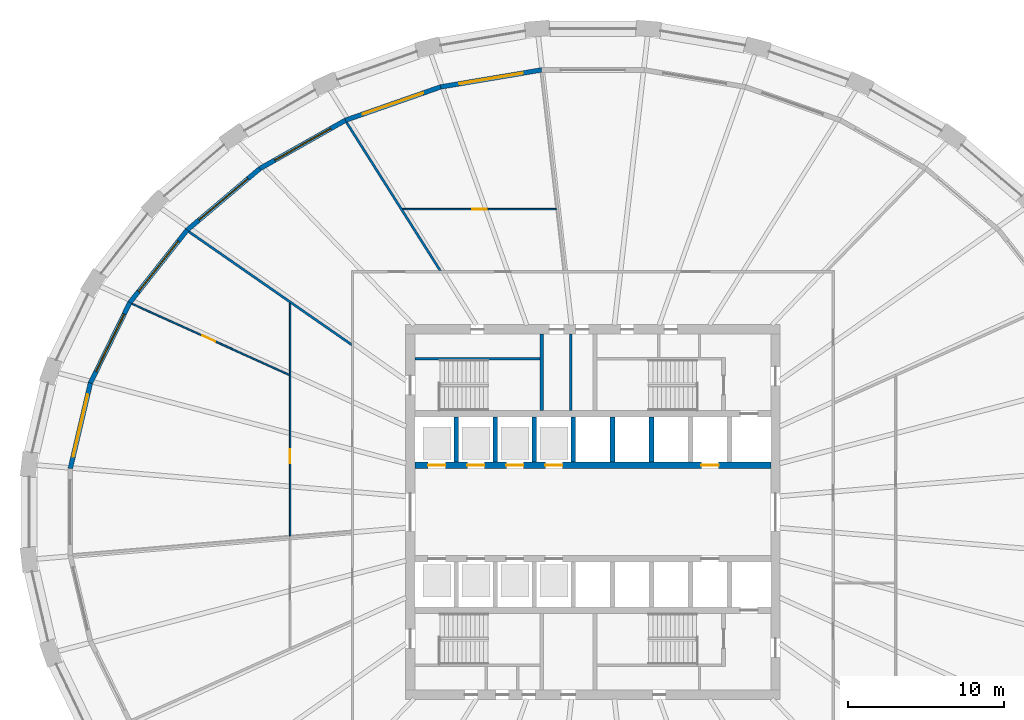
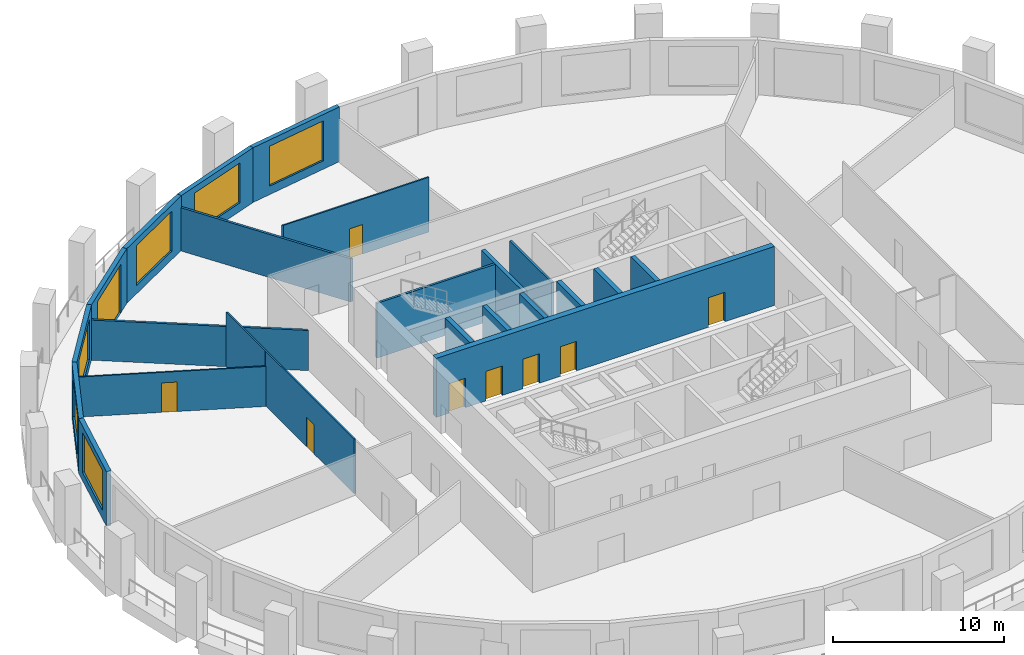
# One storey, part 5 of 10: 22 walls, 9 doors, 6 windows, 15 openings.
"""IFC4 building model written with IfcOpenShell, lengths in metres."""

from ifc_helpers import new_model, si_unit, direction, frame, frame_2d, origin, place, context, subcontext, project, spatial, polyline, rectangle, outline, extrude, material, layer, layer_set, type_object, element, fill, save


model = new_model("IFC4")

# Units and contexts
model_context = context("Model", 3, precision=1e-05, world=origin(), true_north=direction((0.0, 1.0)))
body_context = subcontext(model_context, "Body", "Model", "MODEL_VIEW")
ifc_project = project(units=[si_unit("LENGTHUNIT", "METRE"), si_unit("AREAUNIT", "SQUARE_METRE"), si_unit("VOLUMEUNIT", "CUBIC_METRE"), si_unit("PLANEANGLEUNIT", "RADIAN"), si_unit("MASSUNIT", "GRAM", prefix="KILO")], contexts=[model_context])

# Site, building, storey
site_placement = place(None, origin())
site = spatial("IfcSite", under=ifc_project, at=site_placement, CompositionType="ELEMENT")
building_placement = place(site_placement, origin())
building = spatial("IfcBuilding", under=site, at=building_placement, Name="Halqa Exchange Tower", CompositionType="ELEMENT")
storey_placement = place(building_placement, frame((0.0, 0.0, 90.699951171875)))
storey = spatial("IfcBuildingStorey", under=building, at=storey_placement, Name="L20", CompositionType="ELEMENT", Elevation=90.699951171875)

# Walls
ifc_material_1 = material(Name="Fire-rated gypsum board")
ifc_layer_1 = layer(ifc_material_1, 0.14990234375)
ifc_layer_set_1 = layer_set([ifc_layer_1], Name="Fire-rated gypsum board")
wall_type_1 = type_object("IfcWallType", Name="Fire partition EI 60 150", PredefinedType="PARTITIONING", material=ifc_layer_set_1)
wall_1_placement = place(storey_placement, frame((-25.888427734375, 17.96240234375, 0.0), z_axis=(0.0, 0.0, 1.0), x_axis=(0.821411896375, -0.570335424547, 0.0)))
element("IfcWall", 1, at=wall_1_placement, inside=storey, type_object=wall_type_1, Name="L20-PWL-003", PredefinedType="PARTITIONING", context=body_context, shape_type="SweptSolid", body=[
    extrude(outline(polyline([(0.0, -0.074951171875), (1.60107421875, -0.074951171875), (3.2021484375, -0.074951171875), (4.80322265625, -0.074951171875), (6.404541015625, -0.074951171875), (8.005615234375, -0.074951171875), (8.010009765625, -0.072021484375), (8.011962890625, -0.074951171875), (9.58447265625, -0.074951171875), (11.15673828125, -0.074951171875), (12.729248046875, -0.074951171875), (12.729248046875, -0.074462890625), (12.6787109375, -0.001708984375), (12.6787109375, -0.001708984375), (12.62548828125, 0.074951171875), (10.825439453125, 0.074951171875), (9.025390625, 0.074951171875), (7.225341796875, 0.074951171875), (5.42529296875, 0.074951171875), (3.625244140625, 0.074951171875), (1.8251953125, 0.074951171875), (0.025146484375, 0.074951171875), (0.00390625, -0.004150390625), (0.0, -0.066650390625), (0.0, -0.074951171875)])), origin(), (0.0, 0.0, 1.0), 2.860107421875),
])
wall_2_placement = place(storey_placement, frame((-15.789306640625, 24.9658203125, 0.0), z_axis=(0.0, 0.0, 1.0), x_axis=(0.53447919721, -0.845181630036, 0.0)))
element("IfcWall", 2, at=wall_2_placement, inside=storey, type_object=wall_type_1, Name="L20-PWL-008", PredefinedType="PARTITIONING", context=body_context, shape_type="SweptSolid", body=[
    extrude(outline(polyline([(0.0, -0.074951171875), (1.86376953125, -0.074951171875), (3.727294921875, -0.074951171875), (5.591064453125, -0.074951171875), (7.45458984375, -0.074951171875), (9.318359375, -0.074951171875), (11.181884765625, -0.074951171875), (11.276611328125, 0.07470703125), (11.276611328125, 0.074951171875), (9.748291015625, 0.074951171875), (8.22021484375, 0.074951171875), (6.69189453125, 0.074951171875), (6.690185546875, 0.072265625), (6.685791015625, 0.074951171875), (5.01953125, 0.074951171875), (3.353271484375, 0.074951171875), (1.687255859375, 0.074951171875), (0.02099609375, 0.074951171875), (0.003662109375, 0.000732421875), (0.0, -0.0732421875), (0.0, -0.074951171875)])), origin(), (0.0, 0.0, 1.0), 3.080078125),
])

# Wall, opening, door
ifc_material_2 = material(Name="Gypsum board")
ifc_layer_2 = layer(ifc_material_2, 0.10009765625)
ifc_layer_set_2 = layer_set([ifc_layer_2], Name="Gypsum board")
wall_type_2 = type_object("IfcWallType", Name="Partition 100 gypsum", PredefinedType="PARTITIONING", material=ifc_layer_set_2)
wall_3_placement = place(storey_placement, frame((-19.39990234375, -1.5419921875, 0.0), z_axis=(0.0, 0.0, 1.0), x_axis=(0.0, 1.0, 0.0)))
wall_3 = element("IfcWall", 3, at=wall_3_placement, inside=storey, type_object=wall_type_2, Name="L20-PWL-006", PredefinedType="PARTITIONING", context=body_context, shape_type="SweptSolid", body=[
    extrude(outline(polyline([(0.0078125, -0.050048828125), (1.865966796875, -0.050048828125), (3.72412109375, -0.050048828125), (5.582275390625, -0.050048828125), (7.440673828125, -0.050048828125), (9.298828125, -0.050048828125), (11.156982421875, -0.050048828125), (13.01513671875, -0.050048828125), (14.873291015625, -0.050048828125), (14.927001953125, 0.027587890625), (14.927001953125, 0.02734375), (14.9423828125, 0.049560546875), (14.9423828125, 0.050048828125), (13.42138671875, 0.050048828125), (11.900390625, 0.050048828125), (10.37939453125, 0.050048828125), (10.37841796875, 0.0478515625), (10.37353515625, 0.050048828125), (8.64453125, 0.050048828125), (6.915771484375, 0.050048828125), (5.186767578125, 0.050048828125), (3.457763671875, 0.050048828125), (1.72900390625, 0.050048828125), (0.0, 0.050048828125), (0.0, 0.044677734375), (0.0078125, -0.050048828125)])), origin(), (0.0, 0.0, 1.0), 3.900146484375),
])
opening_1_placement = place(wall_3_placement, frame((4.6669921875, 0.0, 0.0)))
opening_1 = element("IfcOpeningElement", 4, at=opening_1_placement, cuts=wall_3, Name="Opening 06-14", PredefinedType="OPENING", context=body_context, shape_type="SweptSolid", body=[
    extrude(rectangle(XDim=0.89990234375, YDim=2.10009765625, at=frame_2d((0.449951171875, 1.050048828125))), frame((0.0, 0.06201171875, 0.0), z_axis=(0.0, -1.0, 0.0), x_axis=(1.0, 0.0, 0.0)), (0.0, 0.0, 1.0), 0.1240234375),
])
ifc_material_3 = material(Name="Timber door leaf", Category="wood")
door_type_1 = type_object("IfcDoorType", Name="Door 900 x 2100", OperationType="SINGLE_SWING_LEFT", PredefinedType="DOOR", material=ifc_material_3)
door_1_placement = place(opening_1_placement, frame((0.89990234375, 0.0, 0.0), z_axis=(0.0, 0.0, 1.0), x_axis=(-1.0, 0.0, 0.0)))
door_1 = element("IfcDoor", 5, at=door_1_placement, inside=storey, type_object=door_type_1, Name="L20-IDR-014", OperationType="SINGLE_SWING_LEFT", OverallHeight=2.10009765625, OverallWidth=0.89990234375, PredefinedType="DOOR", context=body_context, shape_type="SweptSolid", body=[
    extrude(rectangle(XDim=0.89990234375, YDim=2.10009765625, at=frame_2d((0.449951171875, 1.050048828125))), frame((0.0, 0.02490234375, 0.0), z_axis=(0.0, -1.0, 0.0), x_axis=(1.0, 0.0, 0.0)), (0.0, 0.0, 1.0), 0.050048828125),
])
fill(opening_1, door_1)

wall_4_placement = place(storey_placement, frame((-19.4296875, 8.7734375, 0.0), z_axis=(0.0, 0.0, 1.0), x_axis=(-0.911086470292, 0.412215287987, 0.0)))
wall_4 = element("IfcWall", 6, at=wall_4_placement, inside=storey, type_object=wall_type_2, Name="L20-PWL-007", PredefinedType="PARTITIONING", context=body_context, shape_type="SweptSolid", body=[
    extrude(outline(polyline([(0.044921875, -0.050048828125), (1.8837890625, -0.050048828125), (3.722412109375, -0.050048828125), (5.561279296875, -0.050048828125), (7.39990234375, -0.050048828125), (9.23876953125, -0.050048828125), (11.077392578125, -0.050048828125), (11.090576171875, 0.00244140625), (11.092041015625, 0.050048828125), (9.243408203125, 0.050048828125), (7.394775390625, 0.050048828125), (5.5458984375, 0.050048828125), (3.697265625, 0.050048828125), (1.8486328125, 0.050048828125), (0.0, 0.050048828125), (0.0, 0.04931640625), (0.044921875, -0.050048828125)])), origin(), (0.0, 0.0, 1.0), 2.85009765625),
])
opening_2_placement = place(wall_4_placement, frame((5.23046875, 0.0, 0.0)))
opening_2 = element("IfcOpeningElement", 7, at=opening_2_placement, cuts=wall_4, Name="Opening 06-15", PredefinedType="OPENING", context=body_context, shape_type="SweptSolid", body=[
    extrude(rectangle(XDim=0.89990234375, YDim=2.10009765625, at=frame_2d((0.449951171875, 1.050048828125))), frame((0.0, 0.06201171875, 0.0), z_axis=(0.0, -1.0, 0.0), x_axis=(1.0, 0.0, 0.0)), (0.0, 0.0, 1.0), 0.1240234375),
])
door_2_placement = place(opening_2_placement, frame((0.89990234375, 0.0, 0.0), z_axis=(0.0, 0.0, 1.0), x_axis=(-1.0, 0.0, 0.0)))
door_2 = element("IfcDoor", 8, at=door_2_placement, inside=storey, type_object=door_type_1, Name="L20-IDR-015", OperationType="SINGLE_SWING_LEFT", OverallHeight=2.10009765625, OverallWidth=0.89990234375, PredefinedType="DOOR", context=body_context, shape_type="SweptSolid", body=[
    extrude(rectangle(XDim=0.89990234375, YDim=2.10009765625, at=frame_2d((0.449951171875, 1.050048828125))), frame((0.0, 0.02490234375, 0.0), z_axis=(0.0, -1.0, 0.0), x_axis=(1.0, 0.0, 0.0)), (0.0, 0.0, 1.0), 0.050048828125),
])
fill(opening_2, door_2)

wall_5_placement = place(storey_placement, frame((-12.2119140625, 19.39990234375, 0.0), z_axis=(0.0, 0.0, 1.0), x_axis=(1.0, 0.0, 0.0)))
wall_5 = element("IfcWall", 9, at=wall_5_placement, inside=storey, type_object=wall_type_2, Name="L20-PWL-012", PredefinedType="PARTITIONING", context=body_context, shape_type="SweptSolid", body=[
    extrude(outline(polyline([(9.8818359375, -0.050048828125), (9.8818359375, -0.046630859375), (9.87060546875, 0.050048828125), (7.896484375, 0.050048828125), (5.92236328125, 0.050048828125), (3.9482421875, 0.050048828125), (1.97412109375, 0.050048828125), (0.0, 0.050048828125), (0.0, 0.04931640625), (0.062744140625, -0.050048828125), (2.026611328125, -0.050048828125), (3.990478515625, -0.050048828125), (5.9541015625, -0.050048828125), (7.91796875, -0.050048828125), (9.8818359375, -0.050048828125)])), origin(), (0.0, 0.0, 1.0), 3.900146484375),
])
opening_3_placement = place(wall_5_placement, frame((4.4970703125, 0.0, 0.0)))
opening_3 = element("IfcOpeningElement", 10, at=opening_3_placement, cuts=wall_5, Name="Opening 06-13", PredefinedType="OPENING", context=body_context, shape_type="SweptSolid", body=[
    extrude(rectangle(XDim=0.89990234375, YDim=2.10009765625, at=frame_2d((0.449951171875, 1.050048828125))), frame((0.0, 0.06201171875, 0.0), z_axis=(0.0, -1.0, 0.0), x_axis=(1.0, 0.0, 0.0)), (0.0, 0.0, 1.0), 0.1240234375),
])
door_3_placement = place(opening_3_placement, frame((0.89990234375, 0.0, 0.0), z_axis=(0.0, 0.0, 1.0), x_axis=(-1.0, 0.0, 0.0)))
door_3 = element("IfcDoor", 11, at=door_3_placement, inside=storey, type_object=door_type_1, Name="L20-IDR-013", OperationType="SINGLE_SWING_RIGHT", OverallHeight=2.10009765625, OverallWidth=0.89990234375, PredefinedType="DOOR", context=body_context, shape_type="SweptSolid", body=[
    extrude(rectangle(XDim=0.89990234375, YDim=2.10009765625, at=frame_2d((0.449951171875, 1.050048828125))), frame((0.0, 0.02490234375, 0.0), z_axis=(0.0, -1.0, 0.0), x_axis=(1.0, 0.0, 0.0)), (0.0, 0.0, 1.0), 0.050048828125),
])
fill(opening_3, door_3)

# Walls
ifc_layer_3 = layer(ifc_material_2, 0.14990234375)
ifc_layer_set_3 = layer_set([ifc_layer_3], Name="Gypsum board")
wall_type_3 = type_object("IfcWallType", Name="Penthouse riser wall 150 gypsum", PredefinedType="PARTITIONING", material=ifc_layer_set_3)
wall_6_placement = place(storey_placement, frame((-1.425048828125, 6.5, 0.0), z_axis=(0.0, 0.0, 1.0), x_axis=(0.0, 1.0, 0.0)))
element("IfcWall", 12, at=wall_6_placement, inside=storey, type_object=wall_type_3, Name="Partition W1.425 N", PredefinedType="PARTITIONING", context=body_context, shape_type="SweptSolid", body=[
    extrude(rectangle(XDim=4.89990234375, YDim=0.14990234375, at=frame_2d((2.449951171875, 0.0))), origin(), (0.0, 0.0, 1.0), 3.900146484375),
])
ifc_material_4 = material(Name="Concrete C60/75", Category="concrete")
ifc_layer_4 = layer(ifc_material_4, 0.300048828125)
ifc_layer_set_4 = layer_set([ifc_layer_4], Name="Concrete C60/75")
wall_type_4 = type_object("IfcWallType", Name="RC core wall 300", PredefinedType="SHEAR", material=ifc_layer_set_4)
for number, where, z_axis, x_axis, name in (
    (13, (-8.75, 3.199951171875, 0.0), (0.0, 0.0, 1.0), (0.0, 1.0, 0.0), "Shaft divider N1"),
    (14, (-6.25, 3.199951171875, 0.0), (0.0, 0.0, 1.0), (0.0, 1.0, 0.0), "Shaft divider N2"),
    (15, (-3.75, 3.199951171875, 0.0), (0.0, 0.0, 1.0), (0.0, 1.0, 0.0), "Shaft divider N3"),
    (16, (-1.25, 3.199951171875, 0.0), (0.0, 0.0, 1.0), (0.0, 1.0, 0.0), "Shaft divider N4"),
    (17, (1.25, 3.199951171875, 0.0), (0.0, 0.0, 1.0), (0.0, 1.0, 0.0), "Shaft divider N5"),
    (18, (3.75, 3.199951171875, 0.0), (0.0, 0.0, 1.0), (0.0, 1.0, 0.0), "Shaft divider N6"),
):
    element("IfcWall", number, at=place(storey_placement, frame(where, z_axis=z_axis, x_axis=x_axis)), inside=storey, type_object=wall_type_4, Name=name, PredefinedType="SHEAR", context=body_context, shape_type="SweptSolid", body=[
        extrude(rectangle(XDim=2.900146484375, YDim=0.300048828125, at=frame_2d((1.4501953125, 0.0))), origin(), (0.0, 0.0, 1.0), 4.199951171875),
    ])

# Wall, openings, doors
ifc_material_5 = material(Name="Concrete C80/95", Category="concrete")
ifc_layer_5 = layer(ifc_material_5, 0.39990234375)
ifc_layer_set_5 = layer_set([ifc_layer_5], Name="Concrete C80/95")
wall_type_5 = type_object("IfcWallType", Name="RC core wall 400 C80/95", PredefinedType="SHEAR", material=ifc_layer_set_5)
wall_7_placement = place(storey_placement, frame((-11.39990234375, 3.0, 0.0), z_axis=(0.0, 0.0, 1.0), x_axis=(1.0, 0.0, 0.0)))
wall_7 = element("IfcWall", 19, at=wall_7_placement, inside=storey, type_object=wall_type_5, Name="Lift row front wall N", PredefinedType="SHEAR", context=body_context, shape_type="SweptSolid", body=[
    extrude(rectangle(XDim=22.7998046875, YDim=0.39990234375, at=frame_2d((11.39990234375, 0.0))), origin(), (0.0, 0.0, 1.0), 4.199951171875),
])
opening_4_placement = place(wall_7_placement, frame((0.85009765625, 0.0, 0.0)))
opening_4 = element("IfcOpeningElement", 20, at=opening_4_placement, cuts=wall_7, Name="Opening LD-LR1-T06", PredefinedType="OPENING", context=body_context, shape_type="SweptSolid", body=[
    extrude(rectangle(XDim=1.10009765625, YDim=2.10009765625, at=frame_2d((0.550048828125, 1.050048828125))), frame((0.0, 0.2119140625, 0.0), z_axis=(0.0, -1.0, 0.0), x_axis=(1.0, 0.0, 0.0)), (0.0, 0.0, 1.0), 0.423828125),
])
opening_5_placement = place(wall_7_placement, frame((3.35009765625, 0.0, 0.0)))
opening_5 = element("IfcOpeningElement", 21, at=opening_5_placement, cuts=wall_7, Name="Opening LD-LR2-T06", PredefinedType="OPENING", context=body_context, shape_type="SweptSolid", body=[
    extrude(rectangle(XDim=1.10009765625, YDim=2.10009765625, at=frame_2d((0.550048828125, 1.050048828125))), frame((0.0, 0.2119140625, 0.0), z_axis=(0.0, -1.0, 0.0), x_axis=(1.0, 0.0, 0.0)), (0.0, 0.0, 1.0), 0.423828125),
])
opening_6_placement = place(wall_7_placement, frame((5.85009765625, 0.0, 0.0)))
opening_6 = element("IfcOpeningElement", 22, at=opening_6_placement, cuts=wall_7, Name="Opening LD-LR3-T06", PredefinedType="OPENING", context=body_context, shape_type="SweptSolid", body=[
    extrude(rectangle(XDim=1.10009765625, YDim=2.10009765625, at=frame_2d((0.550048828125, 1.050048828125))), frame((0.0, 0.2119140625, 0.0), z_axis=(0.0, -1.0, 0.0), x_axis=(1.0, 0.0, 0.0)), (0.0, 0.0, 1.0), 0.423828125),
])
opening_7_placement = place(wall_7_placement, frame((8.35009765625, 0.0, 0.0)))
opening_7 = element("IfcOpeningElement", 23, at=opening_7_placement, cuts=wall_7, Name="Opening LD-LR4-T06", PredefinedType="OPENING", context=body_context, shape_type="SweptSolid", body=[
    extrude(rectangle(XDim=1.10009765625, YDim=2.10009765625, at=frame_2d((0.550048828125, 1.050048828125))), frame((0.0, 0.2119140625, 0.0), z_axis=(0.0, -1.0, 0.0), x_axis=(1.0, 0.0, 0.0)), (0.0, 0.0, 1.0), 0.423828125),
])
opening_8_placement = place(wall_7_placement, frame((18.35009765625, 0.0, 0.0)))
opening_8 = element("IfcOpeningElement", 24, at=opening_8_placement, cuts=wall_7, Name="Opening LD-SV1-T06", PredefinedType="OPENING", context=body_context, shape_type="SweptSolid", body=[
    extrude(rectangle(XDim=1.10009765625, YDim=2.10009765625, at=frame_2d((0.550048828125, 1.050048828125))), frame((0.0, 0.2119140625, 0.0), z_axis=(0.0, -1.0, 0.0), x_axis=(1.0, 0.0, 0.0)), (0.0, 0.0, 1.0), 0.423828125),
])
ifc_material_6 = material(Name="Stainless steel", Category="steel")
door_type_2 = type_object("IfcDoorType", Name="Lift landing door 1100 x 2100", OperationType="SLIDING_TO_LEFT", PredefinedType="DOOR", material=ifc_material_6)
door_4_placement = place(opening_4_placement, origin())
door_4 = element("IfcDoor", 25, at=door_4_placement, inside=storey, type_object=door_type_2, Name="Lift landing door LR1", OperationType="SLIDING_TO_LEFT", OverallHeight=2.10009765625, OverallWidth=1.10009765625, PredefinedType="DOOR", context=body_context, shape_type="SweptSolid", body=[
    extrude(rectangle(XDim=1.10009765625, YDim=2.10009765625, at=frame_2d((0.550048828125, 1.050048828125))), frame((0.0, 0.02490234375, 0.0), z_axis=(0.0, -1.0, 0.0), x_axis=(1.0, 0.0, 0.0)), (0.0, 0.0, 1.0), 0.050048828125),
])
fill(opening_4, door_4)
door_5_placement = place(opening_5_placement, origin())
door_5 = element("IfcDoor", 26, at=door_5_placement, inside=storey, type_object=door_type_2, Name="Lift landing door LR2", OperationType="SLIDING_TO_LEFT", OverallHeight=2.10009765625, OverallWidth=1.10009765625, PredefinedType="DOOR", context=body_context, shape_type="SweptSolid", body=[
    extrude(rectangle(XDim=1.10009765625, YDim=2.10009765625, at=frame_2d((0.550048828125, 1.050048828125))), frame((0.0, 0.02490234375, 0.0), z_axis=(0.0, -1.0, 0.0), x_axis=(1.0, 0.0, 0.0)), (0.0, 0.0, 1.0), 0.050048828125),
])
fill(opening_5, door_5)
door_6_placement = place(opening_6_placement, origin())
door_6 = element("IfcDoor", 27, at=door_6_placement, inside=storey, type_object=door_type_2, Name="Lift landing door LR3", OperationType="SLIDING_TO_LEFT", OverallHeight=2.10009765625, OverallWidth=1.10009765625, PredefinedType="DOOR", context=body_context, shape_type="SweptSolid", body=[
    extrude(rectangle(XDim=1.10009765625, YDim=2.10009765625, at=frame_2d((0.550048828125, 1.050048828125))), frame((0.0, 0.02490234375, 0.0), z_axis=(0.0, -1.0, 0.0), x_axis=(1.0, 0.0, 0.0)), (0.0, 0.0, 1.0), 0.050048828125),
])
fill(opening_6, door_6)
door_7_placement = place(opening_7_placement, origin())
door_7 = element("IfcDoor", 28, at=door_7_placement, inside=storey, type_object=door_type_2, Name="Lift landing door LR4", OperationType="SLIDING_TO_LEFT", OverallHeight=2.10009765625, OverallWidth=1.10009765625, PredefinedType="DOOR", context=body_context, shape_type="SweptSolid", body=[
    extrude(rectangle(XDim=1.10009765625, YDim=2.10009765625, at=frame_2d((0.550048828125, 1.050048828125))), frame((0.0, 0.02490234375, 0.0), z_axis=(0.0, -1.0, 0.0), x_axis=(1.0, 0.0, 0.0)), (0.0, 0.0, 1.0), 0.050048828125),
])
fill(opening_7, door_7)
door_8_placement = place(opening_8_placement, origin())
door_8 = element("IfcDoor", 29, at=door_8_placement, inside=storey, type_object=door_type_2, Name="Lift landing door SV1", OperationType="SLIDING_TO_LEFT", OverallHeight=2.10009765625, OverallWidth=1.10009765625, PredefinedType="DOOR", context=body_context, shape_type="SweptSolid", body=[
    extrude(rectangle(XDim=1.10009765625, YDim=2.10009765625, at=frame_2d((0.550048828125, 1.050048828125))), frame((0.0, 0.02490234375, 0.0), z_axis=(0.0, -1.0, 0.0), x_axis=(1.0, 0.0, 0.0)), (0.0, 0.0, 1.0), 0.050048828125),
])
fill(opening_8, door_8)

# Walls
ifc_material_7 = material(Name="Concrete C30/37", Category="concrete")
ifc_layer_6 = layer(ifc_material_7, 0.14990234375)
ifc_layer_set_6 = layer_set([ifc_layer_6], Name="Concrete C30/37")
wall_type_6 = type_object("IfcWallType", Name="RC stair wall 150 C30/37", PredefinedType="SHEAR", material=ifc_layer_set_6)
wall_8_placement = place(storey_placement, frame((-11.39990234375, 9.824951171875, 0.0), z_axis=(0.0, 0.0, 1.0), x_axis=(1.0, 0.0, 0.0)))
element("IfcWall", 30, at=wall_8_placement, inside=storey, type_object=wall_type_6, Name="Stair ST1 north wall N", PredefinedType="SHEAR", context=body_context, shape_type="SweptSolid", body=[
    extrude(rectangle(XDim=8.0, YDim=0.14990234375, at=frame_2d((4.0, 0.0))), origin(), (0.0, 0.0, 1.0), 3.900146484375),
])
ifc_layer_7 = layer(ifc_material_7, 0.25)
ifc_layer_set_7 = layer_set([ifc_layer_7], Name="Concrete C30/37")
wall_type_7 = type_object("IfcWallType", Name="RC stair wall 250 C30/37", PredefinedType="SHEAR", material=ifc_layer_set_7)
wall_9_placement = place(storey_placement, frame((-3.27490234375, 6.5, 0.0), z_axis=(0.0, 0.0, 1.0), x_axis=(0.0, 1.0, 0.0)))
element("IfcWall", 31, at=wall_9_placement, inside=storey, type_object=wall_type_7, Name="Stair ST1 east wall N", PredefinedType="SHEAR", context=body_context, shape_type="SweptSolid", body=[
    extrude(rectangle(XDim=4.89990234375, YDim=0.25, at=frame_2d((2.449951171875, 0.0))), origin(), (0.0, 0.0, 1.0), 3.900146484375),
])

# Wall, opening, window
ifc_material_8 = material(Name="Limestone cladding", Category="masonry")
ifc_layer_8 = layer(ifc_material_8, 0.0400390625)
ifc_material_9 = material(Name="Ventilated cavity")
ifc_layer_9 = layer(ifc_material_9, 0.030029296875, ventilated=True)
ifc_material_10 = material(Name="Mineral wool insulation")
ifc_layer_10 = layer(ifc_material_10, 0.10009765625)
ifc_layer_11 = layer(ifc_material_7, 0.10009765625)
ifc_material_11 = material(Name="Internal plaster")
ifc_layer_12 = layer(ifc_material_11, 0.030029296875)
ifc_layer_set_8 = layer_set([ifc_layer_8, ifc_layer_9, ifc_layer_10, ifc_layer_11, ifc_layer_12], Name="Stone-faced insulated wall 300")
wall_type_8 = type_object("IfcWallType", Name="Stone-faced insulated wall 300", PredefinedType="STANDARD", material=ifc_layer_set_8)
wall_10_placement = place(storey_placement, frame((-3.294921875, 28.319091796875, 0.0), z_axis=(0.0, 0.0, 1.0), x_axis=(-0.986162431544, -0.165781961053, 0.0)))
wall_10 = element("IfcWall", 32, at=wall_10_placement, inside=storey, type_object=wall_type_8, Name="Glass-line wall 9", PredefinedType="STANDARD", context=body_context, shape_type="SweptSolid", body=[
    extrude(outline(polyline([(-0.012451171875, -0.14990234375), (6.567626953125, -0.14990234375), (6.542236328125, 0.14990234375), (0.012451171875, 0.14990234375), (-0.012451171875, -0.14990234375)])), origin(), (0.0, 0.0, 1.0), 3.900146484375),
])
opening_9_placement = place(wall_10_placement, frame((1.227294921875, 0.0, 0.60009765625)))
opening_9 = element("IfcOpeningElement", 33, at=opening_9_placement, cuts=wall_10, Name="Opening W-F1-09", PredefinedType="OPENING", context=body_context, shape_type="SweptSolid", body=[
    extrude(rectangle(XDim=4.10009765625, YDim=2.85009765625, at=frame_2d((2.050048828125, 1.425048828125))), frame((0.0, 0.162109375, 0.0), z_axis=(0.0, -1.0, 0.0), x_axis=(1.0, 0.0, 0.0)), (0.0, 0.0, 1.0), 0.323974609375),
])
ifc_material_12 = material(Name="Clear low-emissivity glass in aluminium frame", Category="aluminium")
window_type = type_object("IfcWindowType", Name="Fixed clear glazed window 4100 x 2850", PartitioningType="TRIPLE_PANEL_VERTICAL", PredefinedType="WINDOW", material=ifc_material_12)
window_1_placement = place(opening_9_placement, origin())
window_1 = element("IfcWindow", 34, at=window_1_placement, inside=storey, type_object=window_type, Name="Window 1", OverallHeight=2.85009765625, OverallWidth=4.10009765625, PartitioningType="TRIPLE_PANEL_VERTICAL", PredefinedType="WINDOW", context=body_context, shape_type="SweptSolid", body=[
    extrude(rectangle(XDim=4.10009765625, YDim=2.85009765625, at=frame_2d((2.050048828125, 1.425048828125))), frame((0.0, 0.030029296875, 0.0), z_axis=(0.0, -1.0, 0.0), x_axis=(1.0, 0.0, 0.0)), (0.0, 0.0, 1.0), 0.06005859375),
])
fill(opening_9, window_1)

wall_11_placement = place(storey_placement, frame((-9.759033203125, 27.232421875, 0.0), z_axis=(0.0, 0.0, 1.0), x_axis=(-0.943820008365, -0.330459970057, 0.0)))
wall_11 = element("IfcWall", 35, at=wall_11_placement, inside=storey, type_object=wall_type_8, Name="Glass-line wall 10", PredefinedType="STANDARD", context=body_context, shape_type="SweptSolid", body=[
    extrude(outline(polyline([(-0.0126953125, -0.14990234375), (6.466064453125, -0.14990234375), (6.439208984375, 0.14990234375), (0.0126953125, 0.14990234375), (-0.0126953125, -0.14990234375)])), origin(), (0.0, 0.0, 1.0), 3.900146484375),
])
opening_10_placement = place(wall_11_placement, frame((1.17626953125, 0.0, 0.60009765625)))
opening_10 = element("IfcOpeningElement", 36, at=opening_10_placement, cuts=wall_11, Name="Opening W-F1-10", PredefinedType="OPENING", context=body_context, shape_type="SweptSolid", body=[
    extrude(rectangle(XDim=4.10009765625, YDim=2.85009765625, at=frame_2d((2.050048828125, 1.425048828125))), frame((0.0, 0.162109375, 0.0), z_axis=(0.0, -1.0, 0.0), x_axis=(1.0, 0.0, 0.0)), (0.0, 0.0, 1.0), 0.323974609375),
])
window_2_placement = place(opening_10_placement, origin())
window_2 = element("IfcWindow", 37, at=window_2_placement, inside=storey, type_object=window_type, Name="Window 1", OverallHeight=2.85009765625, OverallWidth=4.10009765625, PartitioningType="TRIPLE_PANEL_VERTICAL", PredefinedType="WINDOW", context=body_context, shape_type="SweptSolid", body=[
    extrude(rectangle(XDim=4.10009765625, YDim=2.85009765625, at=frame_2d((2.050048828125, 1.425048828125))), frame((0.0, 0.030029296875, 0.0), z_axis=(0.0, -1.0, 0.0), x_axis=(1.0, 0.0, 0.0)), (0.0, 0.0, 1.0), 0.06005859375),
])
fill(opening_10, window_2)

wall_12_placement = place(storey_placement, frame((-15.84912109375, 25.10009765625, 0.0), z_axis=(0.0, 0.0, 1.0), x_axis=(-0.870737550302, -0.491748023376, 0.0)))
wall_12 = element("IfcWall", 38, at=wall_12_placement, inside=storey, type_object=wall_type_8, Name="Glass-line wall 11", PredefinedType="STANDARD", context=body_context, shape_type="SweptSolid", body=[
    extrude(outline(polyline([(-0.013427734375, -0.14990234375), (6.310546875, -0.14990234375), (6.2822265625, 0.14990234375), (0.013427734375, 0.14990234375), (-0.013427734375, -0.14990234375)])), origin(), (0.0, 0.0, 1.0), 3.900146484375),
])
opening_11_placement = place(wall_12_placement, frame((1.09814453125, 0.0, 0.60009765625)))
opening_11 = element("IfcOpeningElement", 39, at=opening_11_placement, cuts=wall_12, Name="Opening W-F1-11", PredefinedType="OPENING", context=body_context, shape_type="SweptSolid", body=[
    extrude(rectangle(XDim=4.10009765625, YDim=2.85009765625, at=frame_2d((2.050048828125, 1.425048828125))), frame((0.0, 0.162109375, 0.0), z_axis=(0.0, -1.0, 0.0), x_axis=(1.0, 0.0, 0.0)), (0.0, 0.0, 1.0), 0.323974609375),
])
window_3_placement = place(opening_11_placement, origin())
window_3 = element("IfcWindow", 40, at=window_3_placement, inside=storey, type_object=window_type, Name="Window 1", OverallHeight=2.85009765625, OverallWidth=4.10009765625, PartitioningType="TRIPLE_PANEL_VERTICAL", PredefinedType="WINDOW", context=body_context, shape_type="SweptSolid", body=[
    extrude(rectangle(XDim=4.10009765625, YDim=2.85009765625, at=frame_2d((2.050048828125, 1.425048828125))), frame((0.0, 0.030029296875, 0.0), z_axis=(0.0, -1.0, 0.0), x_axis=(1.0, 0.0, 0.0)), (0.0, 0.0, 1.0), 0.06005859375),
])
fill(opening_11, window_3)

# Wall, opening, door
wall_13_placement = place(storey_placement, frame((-21.33154296875, 22.00390625, 0.0), z_axis=(0.0, 0.0, 1.0), x_axis=(-0.763753100684, -0.645508482667, 0.0)))
wall_13 = element("IfcWall", 41, at=wall_13_placement, inside=storey, type_object=wall_type_8, Name="Glass-line wall 12", PredefinedType="STANDARD", context=body_context, shape_type="SweptSolid", body=[
    extrude(outline(polyline([(-0.01416015625, -0.14990234375), (6.12255859375, -0.14990234375), (6.09228515625, 0.14990234375), (0.01416015625, 0.14990234375), (-0.01416015625, -0.14990234375)])), origin(), (0.0, 0.0, 1.0), 3.900146484375),
])
opening_12_placement = place(wall_13_placement, frame((1.003662109375, 0.0, 0.0)))
opening_12 = element("IfcOpeningElement", 42, at=opening_12_placement, cuts=wall_13, Name="Opening LG-F1-03", PredefinedType="OPENING", context=body_context, shape_type="SweptSolid", body=[
    extrude(rectangle(XDim=4.10009765625, YDim=3.449951171875, at=frame_2d((2.050048828125, 1.72509765625))), frame((0.0, 0.162109375, 0.0), z_axis=(0.0, -1.0, 0.0), x_axis=(1.0, 0.0, 0.0)), (0.0, 0.0, 1.0), 0.323974609375),
])
door_type_3 = type_object("IfcDoorType", Name="Glazed sliding loggia door 4100 x 3450", OperationType="DOUBLE_DOOR_SLIDING", PredefinedType="DOOR", material=ifc_material_12)
door_9_placement = place(opening_12_placement, origin())
door_9 = element("IfcDoor", 43, at=door_9_placement, inside=storey, type_object=door_type_3, Name="Loggia door 3", OperationType="DOUBLE_DOOR_SLIDING", OverallHeight=3.449951171875, OverallWidth=4.10009765625, PredefinedType="DOOR", context=body_context, shape_type="SweptSolid", body=[
    extrude(rectangle(XDim=4.10009765625, YDim=3.449951171875, at=frame_2d((2.050048828125, 1.72509765625))), frame((0.0, 0.02490234375, 0.0), z_axis=(0.0, -1.0, 0.0), x_axis=(1.0, 0.0, 0.0)), (0.0, 0.0, 1.0), 0.050048828125),
])
fill(opening_12, door_9)

# Wall, opening, window
wall_14_placement = place(storey_placement, frame((-25.99609375, 18.0615234375, 0.0), z_axis=(0.0, 0.0, 1.0), x_axis=(-0.620142219764, -0.784489405452, 0.0)))
wall_14 = element("IfcWall", 44, at=wall_14_placement, inside=storey, type_object=wall_type_8, Name="Glass-line wall 13", PredefinedType="STANDARD", context=body_context, shape_type="SweptSolid", body=[
    extrude(outline(polyline([(-0.01513671875, -0.14990234375), (5.928466796875, -0.14990234375), (5.896240234375, 0.14990234375), (0.01513671875, 0.14990234375), (-0.01513671875, -0.14990234375)])), origin(), (0.0, 0.0, 1.0), 3.900146484375),
])
opening_13_placement = place(wall_14_placement, frame((0.90625, 0.0, 0.60009765625)))
opening_13 = element("IfcOpeningElement", 45, at=opening_13_placement, cuts=wall_14, Name="Opening W-F1-13", PredefinedType="OPENING", context=body_context, shape_type="SweptSolid", body=[
    extrude(rectangle(XDim=4.10009765625, YDim=2.85009765625, at=frame_2d((2.050048828125, 1.425048828125))), frame((0.0, 0.162109375, 0.0), z_axis=(0.0, -1.0, 0.0), x_axis=(1.0, 0.0, 0.0)), (0.0, 0.0, 1.0), 0.323974609375),
])
window_4_placement = place(opening_13_placement, origin())
window_4 = element("IfcWindow", 46, at=window_4_placement, inside=storey, type_object=window_type, Name="Window 1", OverallHeight=2.85009765625, OverallWidth=4.10009765625, PartitioningType="TRIPLE_PANEL_VERTICAL", PredefinedType="WINDOW", context=body_context, shape_type="SweptSolid", body=[
    extrude(rectangle(XDim=4.10009765625, YDim=2.85009765625, at=frame_2d((2.050048828125, 1.425048828125))), frame((0.0, 0.030029296875, 0.0), z_axis=(0.0, -1.0, 0.0), x_axis=(1.0, 0.0, 0.0)), (0.0, 0.0, 1.0), 0.06005859375),
])
fill(opening_13, window_4)

wall_15_placement = place(storey_placement, frame((-29.66259765625, 13.42333984375, 0.0), z_axis=(0.0, 0.0, 1.0), x_axis=(-0.44010747541, -0.897945104162, 0.0)))
wall_15 = element("IfcWall", 47, at=wall_15_placement, inside=storey, type_object=wall_type_8, Name="Glass-line wall 14", PredefinedType="STANDARD", context=body_context, shape_type="SweptSolid", body=[
    extrude(outline(polyline([(-0.01611328125, -0.14990234375), (5.7587890625, -0.14990234375), (5.72509765625, 0.14990234375), (0.01611328125, 0.14990234375), (-0.01611328125, -0.14990234375)])), origin(), (0.0, 0.0, 1.0), 3.900146484375),
])
opening_14_placement = place(wall_15_placement, frame((0.821044921875, 0.0, 0.60009765625)))
opening_14 = element("IfcOpeningElement", 48, at=opening_14_placement, cuts=wall_15, Name="Opening W-F1-14", PredefinedType="OPENING", context=body_context, shape_type="SweptSolid", body=[
    extrude(rectangle(XDim=4.10009765625, YDim=2.85009765625, at=frame_2d((2.050048828125, 1.425048828125))), frame((0.0, 0.162109375, 0.0), z_axis=(0.0, -1.0, 0.0), x_axis=(1.0, 0.0, 0.0)), (0.0, 0.0, 1.0), 0.323974609375),
])
window_5_placement = place(opening_14_placement, origin())
window_5 = element("IfcWindow", 49, at=window_5_placement, inside=storey, type_object=window_type, Name="Window 1", OverallHeight=2.85009765625, OverallWidth=4.10009765625, PartitioningType="TRIPLE_PANEL_VERTICAL", PredefinedType="WINDOW", context=body_context, shape_type="SweptSolid", body=[
    extrude(rectangle(XDim=4.10009765625, YDim=2.85009765625, at=frame_2d((2.050048828125, 1.425048828125))), frame((0.0, 0.030029296875, 0.0), z_axis=(0.0, -1.0, 0.0), x_axis=(1.0, 0.0, 0.0)), (0.0, 0.0, 1.0), 0.06005859375),
])
fill(opening_14, window_5)

wall_16_placement = place(storey_placement, frame((-32.189697265625, 8.267333984375, 0.0), z_axis=(0.0, 0.0, 1.0), x_axis=(-0.229073200999, -0.973409198941, 0.0)))
wall_16 = element("IfcWall", 50, at=wall_16_placement, inside=storey, type_object=wall_type_8, Name="Glass-line wall 15", PredefinedType="STANDARD", context=body_context, shape_type="SweptSolid", body=[
    extrude(outline(polyline([(-0.016845703125, -0.14990234375), (5.642578125, -0.14990234375), (5.60791015625, 0.14990234375), (0.016845703125, 0.14990234375), (-0.016845703125, -0.14990234375)])), origin(), (0.0, 0.0, 1.0), 3.900146484375),
])
opening_15_placement = place(wall_16_placement, frame((0.7626953125, 0.0, 0.60009765625)))
opening_15 = element("IfcOpeningElement", 51, at=opening_15_placement, cuts=wall_16, Name="Opening W-F1-15", PredefinedType="OPENING", context=body_context, shape_type="SweptSolid", body=[
    extrude(rectangle(XDim=4.10009765625, YDim=2.85009765625, at=frame_2d((2.050048828125, 1.425048828125))), frame((0.0, 0.162109375, 0.0), z_axis=(0.0, -1.0, 0.0), x_axis=(1.0, 0.0, 0.0)), (0.0, 0.0, 1.0), 0.323974609375),
])
window_6_placement = place(opening_15_placement, origin())
window_6 = element("IfcWindow", 52, at=window_6_placement, inside=storey, type_object=window_type, Name="Window 1", OverallHeight=2.85009765625, OverallWidth=4.10009765625, PartitioningType="TRIPLE_PANEL_VERTICAL", PredefinedType="WINDOW", context=body_context, shape_type="SweptSolid", body=[
    extrude(rectangle(XDim=4.10009765625, YDim=2.85009765625, at=frame_2d((2.050048828125, 1.425048828125))), frame((0.0, 0.030029296875, 0.0), z_axis=(0.0, -1.0, 0.0), x_axis=(1.0, 0.0, 0.0)), (0.0, 0.0, 1.0), 0.06005859375),
])
fill(opening_15, window_6)

save(model, "model.ifc")
